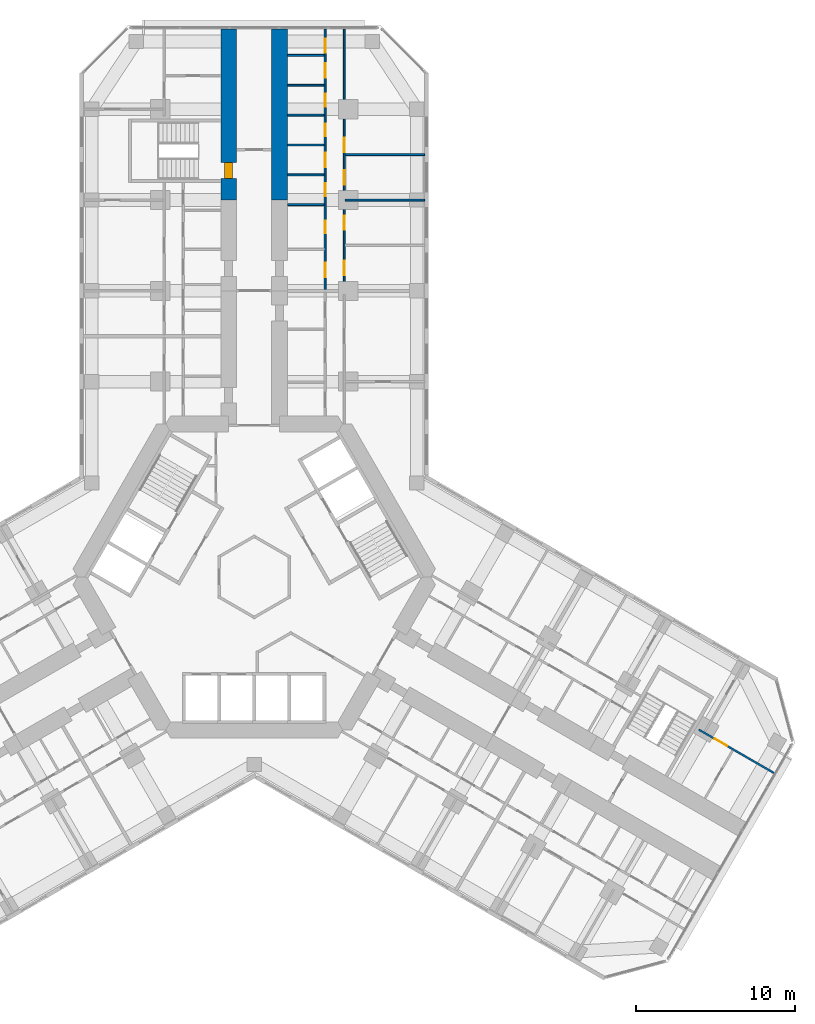
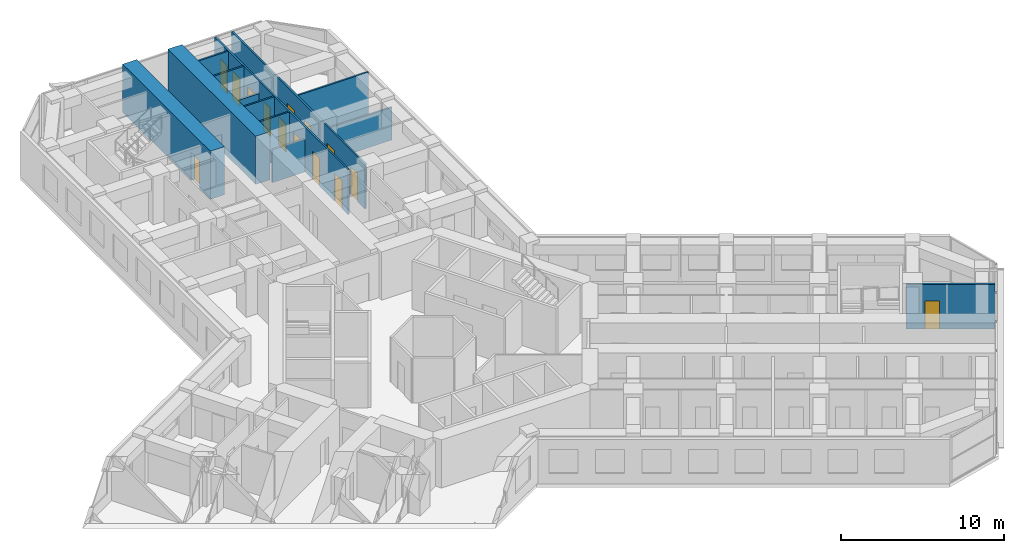
# One storey, part 19 of 21: 14 doors, 13 walls, 14 openings.
"""IFC4 building model written with IfcOpenShell, lengths in metres."""

from ifc_helpers import new_model, si_unit, direction, frame, frame_2d, origin, place, context, subcontext, project, spatial, rectangle, extrude, material, layer, layer_set, type_object, element, fill, save


model = new_model("IFC4")

# Units and contexts
model_context = context("Model", 3, precision=1e-05, world=origin(), true_north=direction((0.0, 1.0)))
body_context = subcontext(model_context, "Body", "Model", "MODEL_VIEW")
ifc_project = project(units=[si_unit("LENGTHUNIT", "METRE"), si_unit("AREAUNIT", "SQUARE_METRE"), si_unit("VOLUMEUNIT", "CUBIC_METRE"), si_unit("PLANEANGLEUNIT", "RADIAN"), si_unit("MASSUNIT", "GRAM", prefix="KILO")], contexts=[model_context])

# Site, building, storey
site_placement = place(None, origin())
site = spatial("IfcSite", under=ifc_project, at=site_placement, CompositionType="ELEMENT")
building_placement = place(site_placement, origin())
building = spatial("IfcBuilding", under=site, at=building_placement, Name="Kosmar Iwan School Tower", CompositionType="ELEMENT")
storey_placement = place(building_placement, frame((0.0, 0.0, 106.0)))
storey = spatial("IfcBuildingStorey", under=building, at=storey_placement, Name="L26", CompositionType="ELEMENT", Elevation=106.0)

# Wall, opening, door
ifc_material_1 = material(Name="Concrete C50/60", Category="concrete")
ifc_layer_1 = layer(ifc_material_1, 1.0)
ifc_layer_set_1 = layer_set([ifc_layer_1], Name="Corridor buttress wall 1000")
wall_type_1 = type_object("IfcWallType", Name="Corridor buttress wall 1000", PredefinedType="SHEAR", material=ifc_layer_set_1)
wall_1_placement = place(storey_placement, frame((-1.60009765625, 23.64990234375, 0.0), z_axis=(0.0, 0.0, 1.0), x_axis=(0.0, 1.0, 0.0)))
wall_1 = element("IfcWall", 1, at=wall_1_placement, inside=storey, type_object=wall_type_1, Name="Corridor wall AL bay 3", PredefinedType="SHEAR", context=body_context, shape_type="SweptSolid", body=[
    extrude(rectangle(XDim=10.7451171875, YDim=1.0, at=frame_2d((5.37255859375, 0.0))), origin(), (0.0, 0.0, 1.0), 3.60009765625),
])
opening_1_placement = place(wall_1_placement, frame((1.35009765625, 0.0, 0.0)))
opening_1 = element("IfcOpeningElement", 2, at=opening_1_placement, cuts=wall_1, Name="Opening D6", PredefinedType="OPENING", context=body_context, shape_type="SweptSolid", body=[
    extrude(rectangle(XDim=1.0, YDim=2.10009765625, at=frame_2d((0.5, 1.050048828125))), frame((0.0, 0.511962890625, 0.0), z_axis=(0.0, -1.0, 0.0), x_axis=(1.0, 0.0, 0.0)), (0.0, 0.0, 1.0), 1.02392578125),
])
ifc_material_2 = material(Name="Steel fire door", Category="steel")
door_type_1 = type_object("IfcDoorType", Name="Stair door 1000x2100", OperationType="SINGLE_SWING_LEFT", PredefinedType="DOOR", material=ifc_material_2)
door_1_placement = place(opening_1_placement, origin())
door_1 = element("IfcDoor", 3, at=door_1_placement, inside=storey, type_object=door_type_1, Name="Stair WS1 door L26", OperationType="SINGLE_SWING_LEFT", OverallHeight=2.10009765625, OverallWidth=1.0, PredefinedType="DOOR", context=body_context, shape_type="SweptSolid", body=[
    extrude(rectangle(XDim=1.0, YDim=2.10009765625, at=frame_2d((0.5, 1.050048828125))), frame((0.0, 0.25, 0.0), z_axis=(0.0, -1.0, 0.0), x_axis=(1.0, 0.0, 0.0)), (0.0, 0.0, 1.0), 0.5),
])
fill(opening_1, door_1)

# Wall
wall_2_placement = place(storey_placement, frame((1.60009765625, 23.64990234375, 0.0), z_axis=(0.0, 0.0, 1.0), x_axis=(0.0, 1.0, 0.0)))
element("IfcWall", 4, at=wall_2_placement, inside=storey, type_object=wall_type_1, Name="Corridor wall AR bay 3", PredefinedType="SHEAR", context=body_context, shape_type="SweptSolid", body=[
    extrude(rectangle(XDim=10.7451171875, YDim=1.0, at=frame_2d((5.37255859375, 0.0))), origin(), (0.0, 0.0, 1.0), 3.60009765625),
])

# Wall, openings, doors
ifc_material_3 = material(Name="Gypsum board on steel studs", Category="steel")
ifc_layer_2 = layer(ifc_material_3, 0.1201171875)
ifc_layer_set_2 = layer_set([ifc_layer_2], Name="Dwelling partition 120")
wall_type_2 = type_object("IfcWallType", Name="Dwelling partition 120", PredefinedType="PARTITIONING", material=ifc_layer_set_2)
wall_3_placement = place(storey_placement, frame((4.449951171875, 18.050048828125, 0.0), z_axis=(0.0, 0.0, 1.0), x_axis=(0.0, 1.0, 0.0)))
wall_3 = element("IfcWall", 5, at=wall_3_placement, inside=storey, type_object=wall_type_2, Name="Partition L26-AR2-W1", PredefinedType="PARTITIONING", context=body_context, shape_type="SweptSolid", body=[
    extrude(rectangle(XDim=16.344970703125, YDim=0.1201171875, at=frame_2d((8.17236328125, 0.0))), origin(), (0.0, 0.0, 1.0), 3.35009765625),
])
opening_2_placement = place(wall_3_placement, frame((0.75, 0.0, 0.0)))
opening_2 = element("IfcOpeningElement", 6, at=opening_2_placement, cuts=wall_3, Name="Opening D2", PredefinedType="OPENING", context=body_context, shape_type="SweptSolid", body=[
    extrude(rectangle(XDim=0.89990234375, YDim=2.10009765625, at=frame_2d((0.449951171875, 1.050048828125))), frame((0.0, 0.072021484375, 0.0), z_axis=(0.0, -1.0, 0.0), x_axis=(1.0, 0.0, 0.0)), (0.0, 0.0, 1.0), 0.14404296875),
])
opening_3_placement = place(wall_3_placement, frame((3.505126953125, 0.0, 0.0)))
opening_3 = element("IfcOpeningElement", 7, at=opening_3_placement, cuts=wall_3, Name="Opening D3", PredefinedType="OPENING", context=body_context, shape_type="SweptSolid", body=[
    extrude(rectangle(XDim=0.800048828125, YDim=2.10009765625, at=frame_2d((0.39990234375, 1.050048828125))), frame((0.0, 0.072021484375, 0.0), z_axis=(0.0, -1.0, 0.0), x_axis=(1.0, 0.0, 0.0)), (0.0, 0.0, 1.0), 0.14404296875),
])
opening_4_placement = place(wall_3_placement, frame((5.8466796875, 0.0, 0.0)))
opening_4 = element("IfcOpeningElement", 8, at=opening_4_placement, cuts=wall_3, Name="Opening D3", PredefinedType="OPENING", context=body_context, shape_type="SweptSolid", body=[
    extrude(rectangle(XDim=0.800048828125, YDim=2.10009765625, at=frame_2d((0.39990234375, 1.050048828125))), frame((0.0, 0.072021484375, 0.0), z_axis=(0.0, -1.0, 0.0), x_axis=(1.0, 0.0, 0.0)), (0.0, 0.0, 1.0), 0.14404296875),
])
opening_5_placement = place(wall_3_placement, frame((7.669921875, 0.0, 0.0)))
opening_5 = element("IfcOpeningElement", 9, at=opening_5_placement, cuts=wall_3, Name="Opening D2", PredefinedType="OPENING", context=body_context, shape_type="SweptSolid", body=[
    extrude(rectangle(XDim=0.89990234375, YDim=2.10009765625, at=frame_2d((0.449951171875, 1.050048828125))), frame((0.0, 0.072021484375, 0.0), z_axis=(0.0, -1.0, 0.0), x_axis=(1.0, 0.0, 0.0)), (0.0, 0.0, 1.0), 0.14404296875),
])
opening_6_placement = place(wall_3_placement, frame((9.59326171875, 0.0, 0.0)))
opening_6 = element("IfcOpeningElement", 10, at=opening_6_placement, cuts=wall_3, Name="Opening D3", PredefinedType="OPENING", context=body_context, shape_type="SweptSolid", body=[
    extrude(rectangle(XDim=0.800048828125, YDim=2.10009765625, at=frame_2d((0.39990234375, 1.050048828125))), frame((0.0, 0.072021484375, 0.0), z_axis=(0.0, -1.0, 0.0), x_axis=(1.0, 0.0, 0.0)), (0.0, 0.0, 1.0), 0.14404296875),
])
opening_7_placement = place(wall_3_placement, frame((11.466796875, 0.0, 0.0)))
opening_7 = element("IfcOpeningElement", 11, at=opening_7_placement, cuts=wall_3, Name="Opening D3", PredefinedType="OPENING", context=body_context, shape_type="SweptSolid", body=[
    extrude(rectangle(XDim=0.800048828125, YDim=2.10009765625, at=frame_2d((0.39990234375, 1.050048828125))), frame((0.0, 0.072021484375, 0.0), z_axis=(0.0, -1.0, 0.0), x_axis=(1.0, 0.0, 0.0)), (0.0, 0.0, 1.0), 0.14404296875),
])
opening_8_placement = place(wall_3_placement, frame((13.2900390625, 0.0, 0.0)))
opening_8 = element("IfcOpeningElement", 12, at=opening_8_placement, cuts=wall_3, Name="Opening D2", PredefinedType="OPENING", context=body_context, shape_type="SweptSolid", body=[
    extrude(rectangle(XDim=0.89990234375, YDim=2.10009765625, at=frame_2d((0.449951171875, 1.050048828125))), frame((0.0, 0.072021484375, 0.0), z_axis=(0.0, -1.0, 0.0), x_axis=(1.0, 0.0, 0.0)), (0.0, 0.0, 1.0), 0.14404296875),
])
opening_9_placement = place(wall_3_placement, frame((14.836669921875, 0.0, 0.0)))
opening_9 = element("IfcOpeningElement", 13, at=opening_9_placement, cuts=wall_3, Name="Opening D2", PredefinedType="OPENING", context=body_context, shape_type="SweptSolid", body=[
    extrude(rectangle(XDim=0.89990234375, YDim=2.10009765625, at=frame_2d((0.449951171875, 1.050048828125))), frame((0.0, 0.072021484375, 0.0), z_axis=(0.0, -1.0, 0.0), x_axis=(1.0, 0.0, 0.0)), (0.0, 0.0, 1.0), 0.14404296875),
])
ifc_material_4 = material(Name="Timber door in timber frame", Category="wood")
door_type_2 = type_object("IfcDoorType", Name="Internal door 900x2100", OperationType="SINGLE_SWING_LEFT", PredefinedType="DOOR", material=ifc_material_4)
door_2_placement = place(opening_2_placement, origin())
door_2 = element("IfcDoor", 14, at=door_2_placement, inside=storey, type_object=door_type_2, Name="Entrance hall door L26-AR2-S1", OperationType="SINGLE_SWING_LEFT", OverallHeight=2.10009765625, OverallWidth=0.89990234375, PredefinedType="DOOR", context=body_context, shape_type="SweptSolid", body=[
    extrude(rectangle(XDim=0.89990234375, YDim=2.10009765625, at=frame_2d((0.449951171875, 1.050048828125))), frame((0.0, 0.02490234375, 0.0), z_axis=(0.0, -1.0, 0.0), x_axis=(1.0, 0.0, 0.0)), (0.0, 0.0, 1.0), 0.050048828125),
])
fill(opening_2, door_2)
door_3_placement = place(opening_5_placement, origin())
door_3 = element("IfcDoor", 15, at=door_3_placement, inside=storey, type_object=door_type_2, Name="Pantry door L26-AR2-S4", OperationType="SINGLE_SWING_RIGHT", OverallHeight=2.10009765625, OverallWidth=0.89990234375, PredefinedType="DOOR", context=body_context, shape_type="SweptSolid", body=[
    extrude(rectangle(XDim=0.89990234375, YDim=2.10009765625, at=frame_2d((0.449951171875, 1.050048828125))), frame((0.0, 0.02490234375, 0.0), z_axis=(0.0, -1.0, 0.0), x_axis=(1.0, 0.0, 0.0)), (0.0, 0.0, 1.0), 0.050048828125),
])
fill(opening_5, door_3)
door_4_placement = place(opening_8_placement, origin())
door_4 = element("IfcDoor", 16, at=door_4_placement, inside=storey, type_object=door_type_2, Name="Utility room door L26-AR2-S7", OperationType="SINGLE_SWING_LEFT", OverallHeight=2.10009765625, OverallWidth=0.89990234375, PredefinedType="DOOR", context=body_context, shape_type="SweptSolid", body=[
    extrude(rectangle(XDim=0.89990234375, YDim=2.10009765625, at=frame_2d((0.449951171875, 1.050048828125))), frame((0.0, 0.02490234375, 0.0), z_axis=(0.0, -1.0, 0.0), x_axis=(1.0, 0.0, 0.0)), (0.0, 0.0, 1.0), 0.050048828125),
])
fill(opening_8, door_4)
door_5_placement = place(opening_9_placement, origin())
door_5 = element("IfcDoor", 17, at=door_5_placement, inside=storey, type_object=door_type_2, Name="Dressing room door L26-AR2-S8", OperationType="SINGLE_SWING_LEFT", OverallHeight=2.10009765625, OverallWidth=0.89990234375, PredefinedType="DOOR", context=body_context, shape_type="SweptSolid", body=[
    extrude(rectangle(XDim=0.89990234375, YDim=2.10009765625, at=frame_2d((0.449951171875, 1.050048828125))), frame((0.0, 0.02490234375, 0.0), z_axis=(0.0, -1.0, 0.0), x_axis=(1.0, 0.0, 0.0)), (0.0, 0.0, 1.0), 0.050048828125),
])
fill(opening_9, door_5)
ifc_material_5 = material(Name="Timber door in timber frame", Category="wood")
door_type_3 = type_object("IfcDoorType", Name="Sanitary room door 800x2100", OperationType="SINGLE_SWING_LEFT", PredefinedType="DOOR", material=ifc_material_5)
door_6_placement = place(opening_3_placement, origin())
door_6 = element("IfcDoor", 18, at=door_6_placement, inside=storey, type_object=door_type_3, Name="Bathroom door L26-AR2-S2", OperationType="SINGLE_SWING_RIGHT", OverallHeight=2.10009765625, OverallWidth=0.800048828125, PredefinedType="DOOR", context=body_context, shape_type="SweptSolid", body=[
    extrude(rectangle(XDim=0.800048828125, YDim=2.10009765625, at=frame_2d((0.39990234375, 1.050048828125))), frame((0.0, 0.02490234375, 0.0), z_axis=(0.0, -1.0, 0.0), x_axis=(1.0, 0.0, 0.0)), (0.0, 0.0, 1.0), 0.050048828125),
])
fill(opening_3, door_6)
door_7_placement = place(opening_4_placement, origin())
door_7 = element("IfcDoor", 19, at=door_7_placement, inside=storey, type_object=door_type_3, Name="Shower room door L26-AR2-S3", OperationType="SINGLE_SWING_LEFT", OverallHeight=2.10009765625, OverallWidth=0.800048828125, PredefinedType="DOOR", context=body_context, shape_type="SweptSolid", body=[
    extrude(rectangle(XDim=0.800048828125, YDim=2.10009765625, at=frame_2d((0.39990234375, 1.050048828125))), frame((0.0, 0.02490234375, 0.0), z_axis=(0.0, -1.0, 0.0), x_axis=(1.0, 0.0, 0.0)), (0.0, 0.0, 1.0), 0.050048828125),
])
fill(opening_4, door_7)
door_8_placement = place(opening_6_placement, origin())
door_8 = element("IfcDoor", 20, at=door_8_placement, inside=storey, type_object=door_type_3, Name="WC door L26-AR2-S5", OperationType="SINGLE_SWING_LEFT", OverallHeight=2.10009765625, OverallWidth=0.800048828125, PredefinedType="DOOR", context=body_context, shape_type="SweptSolid", body=[
    extrude(rectangle(XDim=0.800048828125, YDim=2.10009765625, at=frame_2d((0.39990234375, 1.050048828125))), frame((0.0, 0.02490234375, 0.0), z_axis=(0.0, -1.0, 0.0), x_axis=(1.0, 0.0, 0.0)), (0.0, 0.0, 1.0), 0.050048828125),
])
fill(opening_6, door_8)
door_9_placement = place(opening_7_placement, origin())
door_9 = element("IfcDoor", 21, at=door_9_placement, inside=storey, type_object=door_type_3, Name="Store door L26-AR2-S6", OperationType="SINGLE_SWING_RIGHT", OverallHeight=2.10009765625, OverallWidth=0.800048828125, PredefinedType="DOOR", context=body_context, shape_type="SweptSolid", body=[
    extrude(rectangle(XDim=0.800048828125, YDim=2.10009765625, at=frame_2d((0.39990234375, 1.050048828125))), frame((0.0, 0.02490234375, 0.0), z_axis=(0.0, -1.0, 0.0), x_axis=(1.0, 0.0, 0.0)), (0.0, 0.0, 1.0), 0.050048828125),
])
fill(opening_7, door_9)

wall_4_placement = place(storey_placement, frame((5.64990234375, 18.050048828125, 0.0), z_axis=(0.0, 0.0, 1.0), x_axis=(0.0, 1.0, 0.0)))
wall_4 = element("IfcWall", 22, at=wall_4_placement, inside=storey, type_object=wall_type_2, Name="Partition L26-AR2-W2", PredefinedType="PARTITIONING", context=body_context, shape_type="SweptSolid", body=[
    extrude(rectangle(XDim=16.344970703125, YDim=0.1201171875, at=frame_2d((8.17236328125, 0.0))), origin(), (0.0, 0.0, 1.0), 3.35009765625),
])
opening_10_placement = place(wall_4_placement, frame((0.875, 0.0, 0.0)))
opening_10 = element("IfcOpeningElement", 23, at=opening_10_placement, cuts=wall_4, Name="Opening D2", PredefinedType="OPENING", context=body_context, shape_type="SweptSolid", body=[
    extrude(rectangle(XDim=0.89990234375, YDim=2.10009765625, at=frame_2d((0.449951171875, 1.050048828125))), frame((0.0, 0.072021484375, 0.0), z_axis=(0.0, -1.0, 0.0), x_axis=(1.0, 0.0, 0.0)), (0.0, 0.0, 1.0), 0.14404296875),
])
opening_11_placement = place(wall_4_placement, frame((3.72509765625, 0.0, 0.0)))
opening_11 = element("IfcOpeningElement", 24, at=opening_11_placement, cuts=wall_4, Name="Opening D2", PredefinedType="OPENING", context=body_context, shape_type="SweptSolid", body=[
    extrude(rectangle(XDim=0.89990234375, YDim=2.10009765625, at=frame_2d((0.449951171875, 1.050048828125))), frame((0.0, 0.072021484375, 0.0), z_axis=(0.0, -1.0, 0.0), x_axis=(1.0, 0.0, 0.0)), (0.0, 0.0, 1.0), 0.14404296875),
])
opening_12_placement = place(wall_4_placement, frame((6.574951171875, 0.0, 0.0)))
opening_12 = element("IfcOpeningElement", 25, at=opening_12_placement, cuts=wall_4, Name="Opening D2", PredefinedType="OPENING", context=body_context, shape_type="SweptSolid", body=[
    extrude(rectangle(XDim=0.89990234375, YDim=2.10009765625, at=frame_2d((0.449951171875, 1.050048828125))), frame((0.0, 0.072021484375, 0.0), z_axis=(0.0, -1.0, 0.0), x_axis=(1.0, 0.0, 0.0)), (0.0, 0.0, 1.0), 0.14404296875),
])
opening_13_placement = place(wall_4_placement, frame((8.610107421875, 0.0, 0.0)))
opening_13 = element("IfcOpeningElement", 26, at=opening_13_placement, cuts=wall_4, Name="Opening D2", PredefinedType="OPENING", context=body_context, shape_type="SweptSolid", body=[
    extrude(rectangle(XDim=0.89990234375, YDim=2.10009765625, at=frame_2d((0.449951171875, 1.050048828125))), frame((0.0, 0.072021484375, 0.0), z_axis=(0.0, -1.0, 0.0), x_axis=(1.0, 0.0, 0.0)), (0.0, 0.0, 1.0), 0.14404296875),
])
door_10_placement = place(opening_10_placement, origin())
door_10 = element("IfcDoor", 27, at=door_10_placement, inside=storey, type_object=door_type_2, Name="Bedroom 2 door L26-AR2-F1", OperationType="SINGLE_SWING_LEFT", OverallHeight=2.10009765625, OverallWidth=0.89990234375, PredefinedType="DOOR", context=body_context, shape_type="SweptSolid", body=[
    extrude(rectangle(XDim=0.89990234375, YDim=2.10009765625, at=frame_2d((0.449951171875, 1.050048828125))), frame((0.0, 0.02490234375, 0.0), z_axis=(0.0, -1.0, 0.0), x_axis=(1.0, 0.0, 0.0)), (0.0, 0.0, 1.0), 0.050048828125),
])
fill(opening_10, door_10)
door_11_placement = place(opening_11_placement, origin())
door_11 = element("IfcDoor", 28, at=door_11_placement, inside=storey, type_object=door_type_2, Name="Bedroom 1 door L26-AR2-F2", OperationType="SINGLE_SWING_LEFT", OverallHeight=2.10009765625, OverallWidth=0.89990234375, PredefinedType="DOOR", context=body_context, shape_type="SweptSolid", body=[
    extrude(rectangle(XDim=0.89990234375, YDim=2.10009765625, at=frame_2d((0.449951171875, 1.050048828125))), frame((0.0, 0.02490234375, 0.0), z_axis=(0.0, -1.0, 0.0), x_axis=(1.0, 0.0, 0.0)), (0.0, 0.0, 1.0), 0.050048828125),
])
fill(opening_11, door_11)
door_12_placement = place(opening_12_placement, origin())
door_12 = element("IfcDoor", 29, at=door_12_placement, inside=storey, type_object=door_type_2, Name="Winter garden door L26-AR2-F3", OperationType="SINGLE_SWING_LEFT", OverallHeight=2.10009765625, OverallWidth=0.89990234375, PredefinedType="DOOR", context=body_context, shape_type="SweptSolid", body=[
    extrude(rectangle(XDim=0.89990234375, YDim=2.10009765625, at=frame_2d((0.449951171875, 1.050048828125))), frame((0.0, 0.02490234375, 0.0), z_axis=(0.0, -1.0, 0.0), x_axis=(1.0, 0.0, 0.0)), (0.0, 0.0, 1.0), 0.050048828125),
])
fill(opening_12, door_12)
door_13_placement = place(opening_13_placement, origin())
door_13 = element("IfcDoor", 30, at=door_13_placement, inside=storey, type_object=door_type_2, Name="Living room and kitchen door L26-AR2-F4", OperationType="SINGLE_SWING_RIGHT", OverallHeight=2.10009765625, OverallWidth=0.89990234375, PredefinedType="DOOR", context=body_context, shape_type="SweptSolid", body=[
    extrude(rectangle(XDim=0.89990234375, YDim=2.10009765625, at=frame_2d((0.449951171875, 1.050048828125))), frame((0.0, 0.02490234375, 0.0), z_axis=(0.0, -1.0, 0.0), x_axis=(1.0, 0.0, 0.0)), (0.0, 0.0, 1.0), 0.050048828125),
])
fill(opening_13, door_13)

# Walls
wall_5_placement = place(storey_placement, frame((5.7099609375, 23.64990234375, 0.0), z_axis=(0.0, 0.0, 1.0), x_axis=(1.0, 0.0, 0.0)))
element("IfcWall", 31, at=wall_5_placement, inside=storey, type_object=wall_type_2, Name="Partition L26-AR2-X2", PredefinedType="PARTITIONING", context=body_context, shape_type="SweptSolid", body=[
    extrude(rectangle(XDim=4.989990234375, YDim=0.1201171875, at=frame_2d((2.4951171875, 0.0))), origin(), (0.0, 0.0, 1.0), 2.449951171875),
])
wall_6_placement = place(storey_placement, frame((5.7099609375, 26.5, 0.0), z_axis=(0.0, 0.0, 1.0), x_axis=(1.0, 0.0, 0.0)))
element("IfcWall", 32, at=wall_6_placement, inside=storey, type_object=wall_type_2, Name="Partition L26-AR2-X3", PredefinedType="PARTITIONING", context=body_context, shape_type="SweptSolid", body=[
    extrude(rectangle(XDim=4.989990234375, YDim=0.1201171875, at=frame_2d((2.4951171875, 0.0))), origin(), (0.0, 0.0, 1.0), 3.35009765625),
])
wall_7_placement = place(storey_placement, frame((2.10009765625, 23.360107421875, 0.0), z_axis=(0.0, 0.0, 1.0), x_axis=(1.0, 0.0, 0.0)))
element("IfcWall", 33, at=wall_7_placement, inside=storey, type_object=wall_type_2, Name="Partition L26-AR2-Y2", PredefinedType="PARTITIONING", context=body_context, shape_type="SweptSolid", body=[
    extrude(rectangle(XDim=2.289794921875, YDim=0.1201171875, at=frame_2d((1.14501953125, 0.0))), origin(), (0.0, 0.0, 1.0), 2.449951171875),
])
for number, where, z_axis, x_axis, name in (
    (34, (2.10009765625, 25.2333984375, 0.0), (0.0, 0.0, 1.0), (1.0, 0.0, 0.0), "Partition L26-AR2-Y3"),
    (35, (2.10009765625, 27.106689453125, 0.0), (0.0, 0.0, 1.0), (1.0, 0.0, 0.0), "Partition L26-AR2-Y4"),
):
    element("IfcWall", number, at=place(storey_placement, frame(where, z_axis=z_axis, x_axis=x_axis)), inside=storey, type_object=wall_type_2, Name=name, PredefinedType="PARTITIONING", context=body_context, shape_type="SweptSolid", body=[
        extrude(rectangle(XDim=2.289794921875, YDim=0.1201171875, at=frame_2d((1.14501953125, 0.0))), origin(), (0.0, 0.0, 1.0), 3.35009765625),
    ])
wall_8_placement = place(storey_placement, frame((2.10009765625, 28.97998046875, 0.0), z_axis=(0.0, 0.0, 1.0), x_axis=(1.0, 0.0, 0.0)))
element("IfcWall", 36, at=wall_8_placement, inside=storey, type_object=wall_type_2, Name="Partition L26-AR2-Y5", PredefinedType="PARTITIONING", context=body_context, shape_type="SweptSolid", body=[
    extrude(rectangle(XDim=2.289794921875, YDim=0.1201171875, at=frame_2d((1.14501953125, 0.0))), origin(), (0.0, 0.0, 1.0), 2.449951171875),
])
for number, where, z_axis, x_axis, name in (
    (37, (2.10009765625, 30.853271484375, 0.0), (0.0, 0.0, 1.0), (1.0, 0.0, 0.0), "Partition L26-AR2-Y6"),
    (38, (2.10009765625, 32.7265625, 0.0), (0.0, 0.0, 1.0), (1.0, 0.0, 0.0), "Partition L26-AR2-Y7"),
):
    element("IfcWall", number, at=place(storey_placement, frame(where, z_axis=z_axis, x_axis=x_axis)), inside=storey, type_object=wall_type_2, Name=name, PredefinedType="PARTITIONING", context=body_context, shape_type="SweptSolid", body=[
        extrude(rectangle(XDim=2.289794921875, YDim=0.1201171875, at=frame_2d((1.14501953125, 0.0))), origin(), (0.0, 0.0, 1.0), 3.35009765625),
    ])

# Wall, opening, door
wall_9_placement = place(storey_placement, frame((27.896484375, -9.58203125, 0.0), z_axis=(0.0, 0.0, 1.0), x_axis=(0.866035508231, -0.499982498177, 0.0)))
wall_9 = element("IfcWall", 39, at=wall_9_placement, inside=storey, type_object=wall_type_2, Name="Partition L26-CL2-TW", PredefinedType="PARTITIONING", context=body_context, shape_type="SweptSolid", body=[
    extrude(rectangle(XDim=5.445068359375, YDim=0.1201171875, at=frame_2d((2.72265625, 0.0))), origin(), (0.0, 0.0, 1.0), 3.35009765625),
])
opening_14_placement = place(wall_9_placement, frame((1.14990234375, 0.0, 0.0)))
opening_14 = element("IfcOpeningElement", 40, at=opening_14_placement, cuts=wall_9, Name="Opening D2", PredefinedType="OPENING", context=body_context, shape_type="SweptSolid", body=[
    extrude(rectangle(XDim=0.89990234375, YDim=2.10009765625, at=frame_2d((0.449951171875, 1.050048828125))), frame((0.0, 0.072021484375, 0.0), z_axis=(0.0, -1.0, 0.0), x_axis=(1.0, 0.0, 0.0)), (0.0, 0.0, 1.0), 0.14404296875),
])
door_14_placement = place(opening_14_placement, origin())
door_14 = element("IfcDoor", 41, at=door_14_placement, inside=storey, type_object=door_type_2, Name="Dressing room door L26-CL2-T3", OperationType="SINGLE_SWING_LEFT", OverallHeight=2.10009765625, OverallWidth=0.89990234375, PredefinedType="DOOR", context=body_context, shape_type="SweptSolid", body=[
    extrude(rectangle(XDim=0.89990234375, YDim=2.10009765625, at=frame_2d((0.449951171875, 1.050048828125))), frame((0.0, 0.02490234375, 0.0), z_axis=(0.0, -1.0, 0.0), x_axis=(1.0, 0.0, 0.0)), (0.0, 0.0, 1.0), 0.050048828125),
])
fill(opening_14, door_14)

save(model, "model.ifc")
